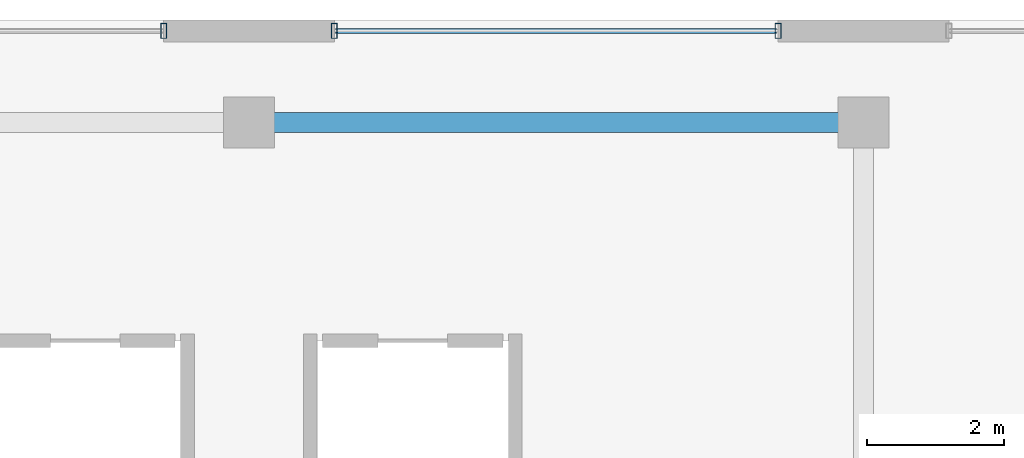
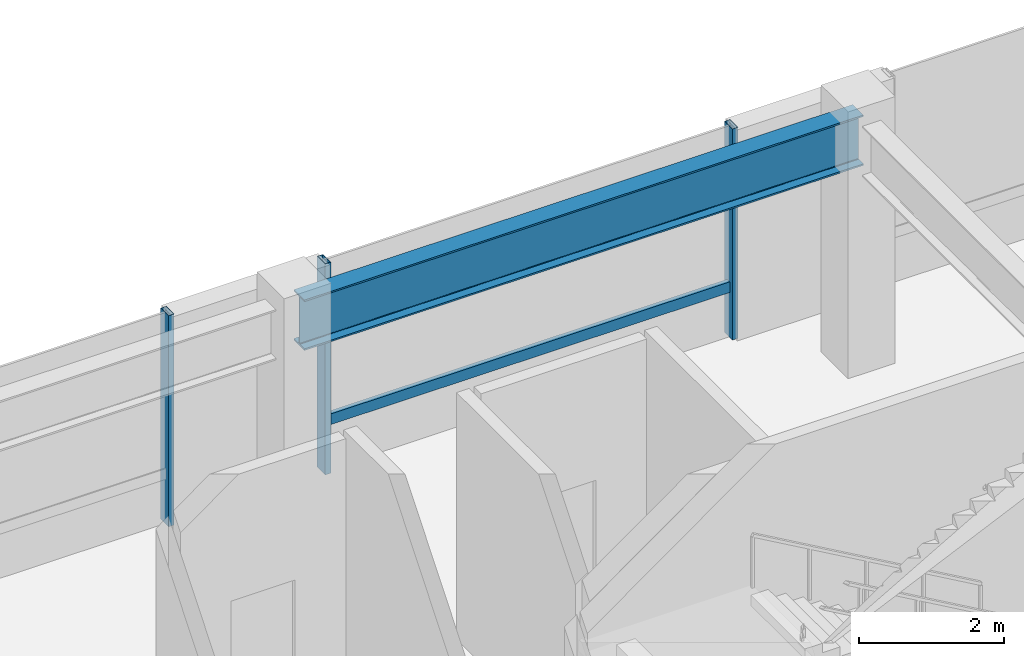
# One storey, part 8 of 25: 4 members, 1 beam, 2 elements without a shape of their own.
"""IFC4 building model written with IfcOpenShell, lengths in metres."""

import ifcopenshell
import ifcopenshell.guid

model = None  # the IFC model being written
_history = None  # IfcOwnerHistory: only IFC2X3 demands one
_inside = {}  # id of a spatial element -> (the spatial element, [elements in it])
_under = {}  # id of a project, library or spatial element -> (it, [spatial elements below it])
_declared = {}  # id of a project -> (the project, [libraries it declares])
_typed = {}  # id of a type object -> (the type object, [elements of that type])
_made_of = {}  # id of a material, layer set ... -> (it, [elements and type objects made of it])


def new_model(schema):
    """Start an empty IFC model of exactly this schema.

    Asked for "IFC4X3", IfcOpenShell would pick the latest addendum, in which some entities
    have other attributes; the version numbers below select the first issue.
    IFC2X3 requires an IfcOwnerHistory on every rooted entity: one is made here for all.
    """
    global model, _history
    if schema == "IFC4X3":
        model = ifcopenshell.file(schema_version=(4, 3, 0, 0))
    else:
        model = ifcopenshell.file(schema=schema)
    _inside.clear()
    _under.clear()
    _declared.clear()
    _typed.clear()
    _made_of.clear()
    _history = None
    if model.schema == "IFC2X3":
        org = make("IfcOrganization", Name="unknown")
        user = make(
            "IfcPersonAndOrganization",
            ThePerson=make("IfcPerson", FamilyName="unknown"),
            TheOrganization=org,
        )
        app = make(
            "IfcApplication",
            ApplicationDeveloper=org,
            Version="unknown",
            ApplicationFullName="unknown",
            ApplicationIdentifier="unknown",
        )
        _history = make(
            "IfcOwnerHistory",
            OwningUser=user,
            OwningApplication=app,
            ChangeAction="ADDED",
            CreationDate=0,
        )
    return model


def make(cls, **values):
    """One entity of the class cls with the attributes given. An attribute that is None is left unset."""
    return model.create_entity(
        cls, **{name: value for name, value in values.items() if value is not None}
    )


def rooted(cls, **values):
    """An entity with a GlobalId (a new one), such as an element, a storey or a relation."""
    return make(cls, GlobalId=ifcopenshell.guid.new(), OwnerHistory=_history, **values)


def si_unit(unit_type, name, prefix=None):
    """IfcSIUnit, for example si_unit("LENGTHUNIT", "METRE", prefix="MILLI")."""
    return make("IfcSIUnit", UnitType=unit_type, Prefix=prefix, Name=name)


def assignment(units):
    """IfcUnitAssignment: the units of a project."""
    return None if units is None else make("IfcUnitAssignment", Units=units)


def point(xyz):
    """IfcCartesianPoint."""
    return None if xyz is None else make("IfcCartesianPoint", Coordinates=xyz)


def direction(xyz):
    """IfcDirection."""
    return None if xyz is None else make("IfcDirection", DirectionRatios=xyz)


def frame(location, z_axis=None, x_axis=None):
    """IfcAxis2Placement3D, a coordinate frame: its origin and axes. An axis left out is left unset."""
    return make(
        "IfcAxis2Placement3D",
        Location=point(location),
        Axis=direction(z_axis),
        RefDirection=direction(x_axis),
    )


def frame_2d(location, x_axis=None):
    """IfcAxis2Placement2D, a coordinate frame in the plane: its origin and x axis."""
    return make(
        "IfcAxis2Placement2D", Location=point(location), RefDirection=direction(x_axis)
    )


def origin():
    """The frame at (0, 0, 0) with its axes left unset."""
    return frame((0.0, 0.0, 0.0))


def origin_2d():
    """The frame at (0, 0) in the plane with its x axis left unset."""
    return frame_2d((0.0, 0.0))


def place(relative_to, where):
    """IfcLocalPlacement: puts the frame where relative to a parent placement (None: the world)."""
    return make(
        "IfcLocalPlacement", PlacementRelTo=relative_to, RelativePlacement=where
    )


def context(
    kind, dimensions, precision=None, world=None, true_north=None, identifier=None
):
    """IfcGeometricRepresentationContext, for example the 3D "Model" context."""
    return make(
        "IfcGeometricRepresentationContext",
        ContextIdentifier=identifier,
        ContextType=kind,
        CoordinateSpaceDimension=dimensions,
        Precision=precision,
        WorldCoordinateSystem=world,
        TrueNorth=true_north,
    )


def subcontext(parent, identifier, kind, view, scale=None):
    """IfcGeometricRepresentationSubContext, for example "Body" below "Model"."""
    return make(
        "IfcGeometricRepresentationSubContext",
        ContextIdentifier=identifier,
        ContextType=kind,
        ParentContext=parent,
        TargetScale=scale,
        TargetView=view,
    )


def project(units=None, contexts=None):
    """IfcProject with its units and contexts."""
    return rooted(
        "IfcProject",
        Name="project",
        RepresentationContexts=contexts,
        UnitsInContext=assignment(units),
    )


def spatial(cls, under=None, at=None, **own):
    """A site, building, storey or space (cls), placed at a placement, below another one or the project."""
    s = rooted(cls, ObjectPlacement=at, **own)
    if under is not None:
        _under.setdefault(under.id(), (under, []))[1].append(s)
    return s


def profile(cls, at=None, kind="AREA", **sizes):
    """A parametric profile (cls). Its sizes go by their IFC names, for example OverallWidth=200.0."""
    return make(cls, ProfileType=kind, Position=at, **sizes)


def hollow_rectangle(**sizes):
    """IfcRectangleHollowProfileDef."""
    return profile("IfcRectangleHollowProfileDef", **sizes)


def i_section(**sizes):
    """IfcIShapeProfileDef."""
    return profile("IfcIShapeProfileDef", **sizes)


def extrude(swept, where, along, depth):
    """IfcExtrudedAreaSolid: the profile swept, set in the frame where, extruded along a direction by depth."""
    return make(
        "IfcExtrudedAreaSolid",
        SweptArea=swept,
        Position=where,
        ExtrudedDirection=direction(along),
        Depth=depth,
    )


def shape(context_of_items, identifier, shape_type, items):
    """IfcShapeRepresentation: the items that make up one representation, for example the "Body"."""
    return make(
        "IfcShapeRepresentation",
        ContextOfItems=context_of_items,
        RepresentationIdentifier=identifier,
        RepresentationType=shape_type,
        Items=items,
    )


def material(Name=None, Category=None):
    """IfcMaterial."""
    return make("IfcMaterial", Name=Name, Category=Category)


def material_profile(
    of_material, cross_section, Name=None, Category=None, Priority=None
):
    """IfcMaterialProfile: a cross section and its material."""
    return make(
        "IfcMaterialProfile",
        Name=Name,
        Material=of_material,
        Profile=cross_section,
        Priority=Priority,
        Category=Category,
    )


def profile_set(profiles, Name=None, composite=None):
    """IfcMaterialProfileSet."""
    return make(
        "IfcMaterialProfileSet",
        Name=Name,
        MaterialProfiles=profiles,
        CompositeProfile=composite,
    )


def made_of(thing, what):
    """Note that an element or type object is made of a material, layer set ...; save() writes the relation."""
    if what is not None:
        _made_of.setdefault(what.id(), (what, []))[1].append(thing)
    return thing


def type_object(cls, material=None, **own):
    """A type object (cls), such as IfcWallType, which elements share."""
    return made_of(rooted(cls, **own), material)


def element(
    cls,
    number,
    at=None,
    inside=None,
    cuts=None,
    type_object=None,
    material=None,
    context=None,
    identifier="Body",
    shape_type=None,
    held_by="IfcProductDefinitionShape",
    body=None,
    shapes=None,
    **own,
):
    """One element of the class cls, such as IfcWall. Its Tag is "e" and its number.

    at: its placement. inside: the storey or other place that contains it. cuts: it is an
    opening in that element (IfcRelVoidsElement). A single representation is given by context,
    identifier, shape_type and body (its items); several are given by shapes. held_by: the class
    of the entity that holds the representations. save() writes the other relations.
    """
    e = rooted(cls, Tag="e%d" % number, ObjectPlacement=at, **own)
    if body is not None:
        shapes = [shape(context, identifier, shape_type, body)]
    if shapes is not None:
        e.Representation = make(held_by, Representations=shapes)
    if inside is not None:
        _inside.setdefault(inside.id(), (inside, []))[1].append(e)
    if cuts is not None:
        rooted(
            "IfcRelVoidsElement", RelatingBuildingElement=cuts, RelatedOpeningElement=e
        )
    if type_object is not None:
        _typed.setdefault(type_object.id(), (type_object, []))[1].append(e)
    return made_of(e, material)


def aggregate(whole, parts):
    """IfcRelAggregates: a whole, such as a stair, and the parts it consists of."""
    return rooted("IfcRelAggregates", RelatingObject=whole, RelatedObjects=parts)


def save(model, path):
    """Write the relations noted so far, then the file.

    IfcRelAggregates (storeys below a building ...), IfcRelContainedInSpatialStructure (elements
    in a storey), IfcRelDefinesByType, IfcRelAssociatesMaterial and IfcRelDeclares: one each for
    every whole, place, type object, material and project.
    """
    for whole, parts in _under.values():
        aggregate(whole, parts)
    for where, things in _inside.values():
        rooted(
            "IfcRelContainedInSpatialStructure",
            RelatedElements=things,
            RelatingStructure=where,
        )
    for kind, things in _typed.values():
        rooted("IfcRelDefinesByType", RelatedObjects=things, RelatingType=kind)
    for what, things in _made_of.values():
        rooted("IfcRelAssociatesMaterial", RelatedObjects=things, RelatingMaterial=what)
    for by, libraries in _declared.values():
        rooted("IfcRelDeclares", RelatingContext=by, RelatedDefinitions=libraries)
    model.write(path)


model = new_model("IFC4")

# Units and contexts
model_context = context("Model", 3, precision=1e-05, world=origin(), true_north=direction((0.0, 1.0)))
body_context = subcontext(model_context, "Body", "Model", "MODEL_VIEW")
ifc_project = project(units=[si_unit("LENGTHUNIT", "METRE"), si_unit("AREAUNIT", "SQUARE_METRE"), si_unit("VOLUMEUNIT", "CUBIC_METRE"), si_unit("PLANEANGLEUNIT", "RADIAN"), si_unit("MASSUNIT", "GRAM", prefix="KILO")], contexts=[model_context])

# Site, building, storey
site_placement = place(None, origin())
site = spatial("IfcSite", under=ifc_project, at=site_placement, CompositionType="ELEMENT")
building_placement = place(site_placement, origin())
building = spatial("IfcBuilding", under=site, at=building_placement, Name="Thornwick Lancets Civic Towers", CompositionType="ELEMENT")
storey_placement = place(building_placement, frame((0.0, 0.0, 9.60009765625)))
storey = spatial("IfcBuildingStorey", under=building, at=storey_placement, Name="L02", CompositionType="ELEMENT", Elevation=9.60009765625)

# Beam
ifc_material_1 = material(Name="Steel S355JR", Category="steel")
ifc_material_profile_1 = material_profile(ifc_material_1, i_section(OverallWidth=0.293701171875, OverallDepth=0.850830078125, WebThickness=0.01611328125, FlangeThickness=0.02685546875, FilletRadius=0.017822265625, at=origin_2d()), Name="UKB 838x292x226")
ifc_profile_set_1 = profile_set([ifc_material_profile_1], Name="Steel S355JR")
beam_type = type_object("IfcBeamType", Name="BM_POD_838_226", PredefinedType="BEAM", material=ifc_profile_set_1)
beam_placement = place(storey_placement, frame((57.080078125, 48.0, 3.75439453125), z_axis=(1.0, 0.0, 0.0), x_axis=(0.0, 1.0, 0.0)))
element("IfcBeam", 1, at=beam_placement, inside=storey, type_object=beam_type, Name="BM-PODG-L02-12-13", PredefinedType="BEAM", context=body_context, shape_type="SweptSolid", body=[
    extrude(i_section(OverallWidth=0.293701171875, OverallDepth=0.850830078125, WebThickness=0.01611328125, FlangeThickness=0.02685546875, FilletRadius=0.017822265625, at=origin_2d()), origin(), (0.0, 0.0, 1.0), 8.919921875),
])

# Curtain wall, members
ifc_material_2 = material(Name="Terracotta-trimmed cascading podium ribbon curtain wall", Category="masonry")
curtain_wall_type = type_object("IfcCurtainWallType", Name="CW_SYS_02", PredefinedType="NOTDEFINED", material=ifc_material_2)
curtain_wall_1_placement = place(storey_placement, origin())
curtain_wall_1 = element("IfcCurtainWall", 2, at=curtain_wall_1_placement, inside=storey, type_object=curtain_wall_type, Name="L02 Curtain Wall CW-L02-POD-NC-S2", PredefinedType="NOTDEFINED")
ifc_material_3 = material(Name="Thermally broken bronze aluminium S355", Category="steel")
ifc_material_profile_2 = material_profile(ifc_material_3, hollow_rectangle(XDim=0.090087890625, YDim=0.219970703125, WallThickness=0.00634765625, at=origin_2d()), Name="RHS 220x90x6.3")
ifc_profile_set_2 = profile_set([ifc_material_profile_2], Name="Thermally broken bronze aluminium S355")
member_type_1 = type_object("IfcMemberType", Name="CW_MUL_220", PredefinedType="MULLION", material=ifc_profile_set_2)
member_1_placement = place(storey_placement, frame((64.75, 49.340087890625, 0.0), z_axis=(0.0, 0.0, 1.0), x_axis=(1.0, 0.0, 0.0)))
member_1 = element("IfcMember", 3, at=member_1_placement, type_object=member_type_1, Name="CW-L02-POD-NC-S2 Mullion 0", PredefinedType="MULLION", context=body_context, shape_type="SweptSolid", body=[
    extrude(hollow_rectangle(XDim=0.090087890625, YDim=0.219970703125, WallThickness=0.00634765625, at=origin_2d()), origin(), (0.0, 0.0, 1.0), 3.559814453125),
])
member_2_placement = place(storey_placement, frame((58.25, 49.340087890625, 0.0), z_axis=(0.0, 0.0, 1.0), x_axis=(1.0, 0.0, 0.0)))
member_2 = element("IfcMember", 4, at=member_2_placement, type_object=member_type_1, Name="CW-L02-POD-NC-S2 Mullion 1", PredefinedType="MULLION", context=body_context, shape_type="SweptSolid", body=[
    extrude(hollow_rectangle(XDim=0.090087890625, YDim=0.219970703125, WallThickness=0.00634765625, at=origin_2d()), origin(), (0.0, 0.0, 1.0), 3.559814453125),
])

# Curtain wall, member
curtain_wall_2_placement = place(storey_placement, origin())
curtain_wall_2 = element("IfcCurtainWall", 5, at=curtain_wall_2_placement, inside=storey, type_object=curtain_wall_type, Name="L02 Curtain Wall CW-L02-POD-NC-S3", PredefinedType="NOTDEFINED")
member_3_placement = place(storey_placement, frame((55.75, 49.340087890625, 0.0), z_axis=(0.0, 0.0, 1.0), x_axis=(1.0, 0.0, 0.0)))
member_3 = element("IfcMember", 6, at=member_3_placement, type_object=member_type_1, Name="CW-L02-POD-NC-S3 Mullion 0", PredefinedType="MULLION", context=body_context, shape_type="SweptSolid", body=[
    extrude(hollow_rectangle(XDim=0.090087890625, YDim=0.219970703125, WallThickness=0.00634765625, at=origin_2d()), origin(), (0.0, 0.0, 1.0), 3.559814453125),
])
aggregate(curtain_wall_2, [member_3])

# Member
ifc_material_profile_3 = material_profile(ifc_material_3, hollow_rectangle(XDim=0.074951171875, YDim=0.179931640625, WallThickness=0.006103515625, at=origin_2d()), Name="RHS 180x75x6")
ifc_profile_set_3 = profile_set([ifc_material_profile_3], Name="Thermally broken bronze aluminium S355")
member_type_2 = type_object("IfcMemberType", Name="CW_TRN_180", PredefinedType="USERDEFINED", material=ifc_profile_set_3)
member_4_placement = place(storey_placement, frame((64.72998046875, 49.340087890625, 0.849853515625), z_axis=(-1.0, 0.0, 0.0), x_axis=(0.0, -1.0, 0.0)))
member_4 = element("IfcMember", 7, at=member_4_placement, type_object=member_type_2, Name="CW-L02-POD-NC-S2 Transom 0", ObjectType="TRANSOM", PredefinedType="USERDEFINED", context=body_context, shape_type="SweptSolid", body=[
    extrude(hollow_rectangle(XDim=0.074951171875, YDim=0.179931640625, WallThickness=0.006103515625, at=origin_2d()), origin(), (0.0, 0.0, 1.0), 6.4599609375),
])

aggregate(curtain_wall_1, [member_1, member_2, member_4])

save(model, "model.ifc")
